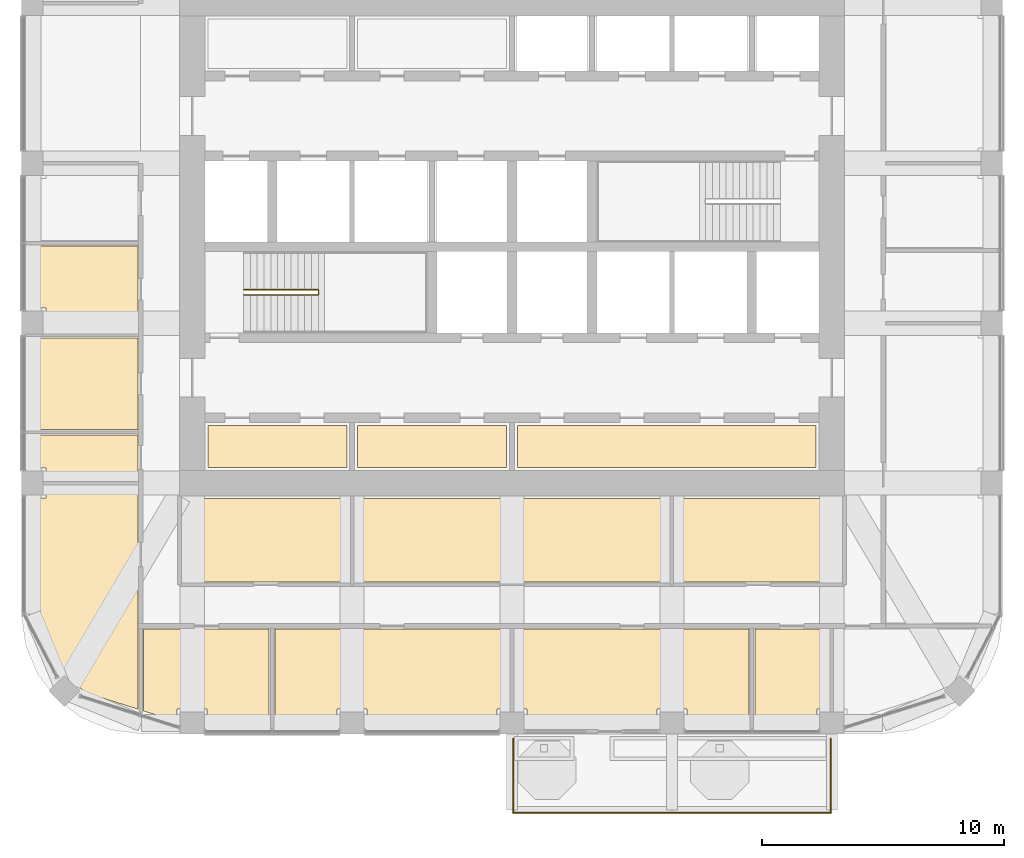
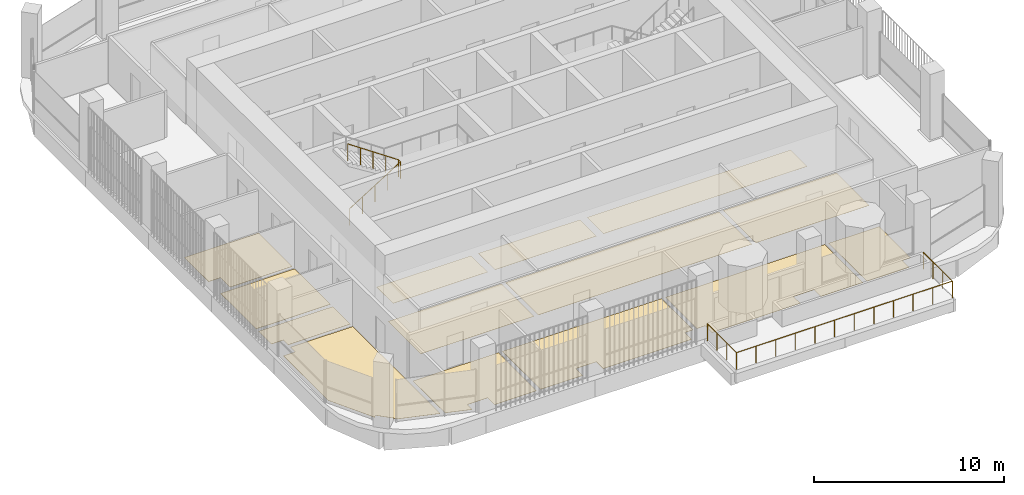
# One storey, part 18 of 21: 14 coverings, 2 railings.
"""IFC4 building model written with IfcOpenShell, lengths in metres."""

from ifc_helpers import new_model, si_unit, direction, frame, origin, place, context, subcontext, project, spatial, polyline, outline, extrude, material, layer, layer_set, type_object, element, save


model = new_model("IFC4")

# Units and contexts
model_context = context("Model", 3, precision=1e-05, world=origin(), true_north=direction((0.0, 1.0)))
body_context = subcontext(model_context, "Body", "Model", "MODEL_VIEW")
ifc_project = project(units=[si_unit("LENGTHUNIT", "METRE"), si_unit("AREAUNIT", "SQUARE_METRE"), si_unit("VOLUMEUNIT", "CUBIC_METRE"), si_unit("PLANEANGLEUNIT", "RADIAN"), si_unit("MASSUNIT", "GRAM", prefix="KILO")], contexts=[model_context])

# Site, building, storey
site_placement = place(None, origin())
site = spatial("IfcSite", under=ifc_project, at=site_placement, CompositionType="ELEMENT")
building_placement = place(site_placement, origin())
building = spatial("IfcBuilding", under=site, at=building_placement, Name="Cobogo Forest Laboratory Tower", CompositionType="ELEMENT")
storey_placement = place(building_placement, frame((0.0, 0.0, 283.800048828125)))
storey = spatial("IfcBuildingStorey", under=building, at=storey_placement, Name="L65", CompositionType="ELEMENT", Elevation=283.800048828125)

# Railing
ifc_material_1 = material(Name="Laminated glass balustrade", Category="glass")
railing_type_1 = type_object("IfcRailingType", Name="BG1 glass balustrade 1100", PredefinedType="GUARDRAIL", material=ifc_material_1)
railing_1_placement = place(storey_placement, frame((26.449951171875, 2.64990234375, 0.0)))
element("IfcRailing", 1, at=railing_1_placement, inside=storey, type_object=railing_type_1, Name="Balcony balustrade BAL-S1 L65", PredefinedType="GUARDRAIL", context=body_context, shape_type="SweptSolid", body=[
    extrude(outline(polyline([(0.022216796875, 0.00927734375), (0.00927734375, 0.022216796875), (-0.00927734375, 0.022216796875), (-0.022216796875, 0.00927734375), (-0.022216796875, -0.00927734375), (-0.00927734375, -0.022216796875), (0.00927734375, -0.022216796875), (0.022216796875, -0.00927734375), (0.022216796875, 0.00927734375)])), frame((0.0, 0.0, 1.077880859375), z_axis=(0.0, -1.0, 0.0), x_axis=(1.0, 0.0, 0.0)), (0.0, 0.0, 1.0), 3.0498046875),
    extrude(outline(polyline([(0.022216796875, 0.00927734375), (0.00927734375, 0.022216796875), (-0.00927734375, 0.022216796875), (-0.022216796875, 0.00927734375), (-0.022216796875, -0.00927734375), (-0.00927734375, -0.022216796875), (0.00927734375, -0.022216796875), (0.022216796875, -0.00927734375), (0.022216796875, 0.00927734375)])), frame((0.0, -3.0498046875, 1.077880859375), z_axis=(1.0, 0.0, 0.0), x_axis=(0.0, 1.0, 0.0)), (0.0, 0.0, 1.0), 13.10009765625),
    extrude(outline(polyline([(0.022216796875, 0.00927734375), (0.00927734375, 0.022216796875), (-0.00927734375, 0.022216796875), (-0.022216796875, 0.00927734375), (-0.022216796875, -0.00927734375), (-0.00927734375, -0.022216796875), (0.00927734375, -0.022216796875), (0.022216796875, -0.00927734375), (0.022216796875, 0.00927734375)])), frame((13.10009765625, -3.0498046875, 1.077880859375), z_axis=(0.0, 1.0, 0.0), x_axis=(-1.0, 0.0, 0.0)), (0.0, 0.0, 1.0), 3.0498046875),
    extrude(outline(polyline([(0.019287109375, 0.008056640625), (0.008056640625, 0.019287109375), (-0.008056640625, 0.019287109375), (-0.019287109375, 0.008056640625), (-0.019287109375, -0.008056640625), (-0.008056640625, -0.019287109375), (0.008056640625, -0.019287109375), (0.019287109375, -0.008056640625), (0.019287109375, 0.008056640625)])), origin(), (0.0, 0.0, 1.0), 1.077880859375),
    extrude(outline(polyline([(0.019287109375, 0.008056640625), (0.008056640625, 0.019287109375), (-0.008056640625, 0.019287109375), (-0.019287109375, 0.008056640625), (-0.019287109375, -0.008056640625), (-0.008056640625, -0.019287109375), (0.008056640625, -0.019287109375), (0.019287109375, -0.008056640625), (0.019287109375, 0.008056640625)])), frame((0.0, -1.0166015625, 0.0)), (0.0, 0.0, 1.0), 1.077880859375),
    extrude(outline(polyline([(0.019287109375, 0.008056640625), (0.008056640625, 0.019287109375), (-0.008056640625, 0.019287109375), (-0.019287109375, 0.008056640625), (-0.019287109375, -0.008056640625), (-0.008056640625, -0.019287109375), (0.008056640625, -0.019287109375), (0.019287109375, -0.008056640625), (0.019287109375, 0.008056640625)])), frame((0.0, -2.033203125, 0.0)), (0.0, 0.0, 1.0), 1.077880859375),
    extrude(outline(polyline([(0.019287109375, 0.008056640625), (0.008056640625, 0.019287109375), (-0.008056640625, 0.019287109375), (-0.019287109375, 0.008056640625), (-0.019287109375, -0.008056640625), (-0.008056640625, -0.019287109375), (0.008056640625, -0.019287109375), (0.019287109375, -0.008056640625), (0.019287109375, 0.008056640625)])), frame((0.0, -3.0498046875, 0.0)), (0.0, 0.0, 1.0), 1.077880859375),
    extrude(outline(polyline([(0.019287109375, 0.008056640625), (0.008056640625, 0.019287109375), (-0.008056640625, 0.019287109375), (-0.019287109375, 0.008056640625), (-0.019287109375, -0.008056640625), (-0.008056640625, -0.019287109375), (0.008056640625, -0.019287109375), (0.019287109375, -0.008056640625), (0.019287109375, 0.008056640625)])), frame((1.19091796875, -3.0498046875, 0.0)), (0.0, 0.0, 1.0), 1.077880859375),
    extrude(outline(polyline([(0.019287109375, 0.008056640625), (0.008056640625, 0.019287109375), (-0.008056640625, 0.019287109375), (-0.019287109375, 0.008056640625), (-0.019287109375, -0.008056640625), (-0.008056640625, -0.019287109375), (0.008056640625, -0.019287109375), (0.019287109375, -0.008056640625), (0.019287109375, 0.008056640625)])), frame((2.3818359375, -3.0498046875, 0.0)), (0.0, 0.0, 1.0), 1.077880859375),
    extrude(outline(polyline([(0.019287109375, 0.008056640625), (0.008056640625, 0.019287109375), (-0.008056640625, 0.019287109375), (-0.019287109375, 0.008056640625), (-0.019287109375, -0.008056640625), (-0.008056640625, -0.019287109375), (0.008056640625, -0.019287109375), (0.019287109375, -0.008056640625), (0.019287109375, 0.008056640625)])), frame((3.57275390625, -3.0498046875, 0.0)), (0.0, 0.0, 1.0), 1.077880859375),
    extrude(outline(polyline([(0.019287109375, 0.008056640625), (0.008056640625, 0.019287109375), (-0.008056640625, 0.019287109375), (-0.019287109375, 0.008056640625), (-0.019287109375, -0.008056640625), (-0.008056640625, -0.019287109375), (0.008056640625, -0.019287109375), (0.019287109375, -0.008056640625), (0.019287109375, 0.008056640625)])), frame((4.763671875, -3.0498046875, 0.0)), (0.0, 0.0, 1.0), 1.077880859375),
    extrude(outline(polyline([(0.019287109375, 0.008056640625), (0.008056640625, 0.019287109375), (-0.008056640625, 0.019287109375), (-0.019287109375, 0.008056640625), (-0.019287109375, -0.008056640625), (-0.008056640625, -0.019287109375), (0.008056640625, -0.019287109375), (0.019287109375, -0.008056640625), (0.019287109375, 0.008056640625)])), frame((5.95458984375, -3.0498046875, 0.0)), (0.0, 0.0, 1.0), 1.077880859375),
    extrude(outline(polyline([(0.019287109375, 0.008056640625), (0.008056640625, 0.019287109375), (-0.008056640625, 0.019287109375), (-0.019287109375, 0.008056640625), (-0.019287109375, -0.008056640625), (-0.008056640625, -0.019287109375), (0.008056640625, -0.019287109375), (0.019287109375, -0.008056640625), (0.019287109375, 0.008056640625)])), frame((7.1455078125, -3.0498046875, 0.0)), (0.0, 0.0, 1.0), 1.077880859375),
    extrude(outline(polyline([(0.019287109375, 0.008056640625), (0.008056640625, 0.019287109375), (-0.008056640625, 0.019287109375), (-0.019287109375, 0.008056640625), (-0.019287109375, -0.008056640625), (-0.008056640625, -0.019287109375), (0.008056640625, -0.019287109375), (0.019287109375, -0.008056640625), (0.019287109375, 0.008056640625)])), frame((8.33642578125, -3.0498046875, 0.0)), (0.0, 0.0, 1.0), 1.077880859375),
    extrude(outline(polyline([(0.019287109375, 0.008056640625), (0.008056640625, 0.019287109375), (-0.008056640625, 0.019287109375), (-0.019287109375, 0.008056640625), (-0.019287109375, -0.008056640625), (-0.008056640625, -0.019287109375), (0.008056640625, -0.019287109375), (0.019287109375, -0.008056640625), (0.019287109375, 0.008056640625)])), frame((9.52734375, -3.0498046875, 0.0)), (0.0, 0.0, 1.0), 1.077880859375),
    extrude(outline(polyline([(0.019287109375, 0.008056640625), (0.008056640625, 0.019287109375), (-0.008056640625, 0.019287109375), (-0.019287109375, 0.008056640625), (-0.019287109375, -0.008056640625), (-0.008056640625, -0.019287109375), (0.008056640625, -0.019287109375), (0.019287109375, -0.008056640625), (0.019287109375, 0.008056640625)])), frame((10.71826171875, -3.0498046875, 0.0)), (0.0, 0.0, 1.0), 1.077880859375),
    extrude(outline(polyline([(0.019287109375, 0.008056640625), (0.008056640625, 0.019287109375), (-0.008056640625, 0.019287109375), (-0.019287109375, 0.008056640625), (-0.019287109375, -0.008056640625), (-0.008056640625, -0.019287109375), (0.008056640625, -0.019287109375), (0.019287109375, -0.008056640625), (0.019287109375, 0.008056640625)])), frame((11.9091796875, -3.0498046875, 0.0)), (0.0, 0.0, 1.0), 1.077880859375),
    extrude(outline(polyline([(0.019287109375, 0.008056640625), (0.008056640625, 0.019287109375), (-0.008056640625, 0.019287109375), (-0.019287109375, 0.008056640625), (-0.019287109375, -0.008056640625), (-0.008056640625, -0.019287109375), (0.008056640625, -0.019287109375), (0.019287109375, -0.008056640625), (0.019287109375, 0.008056640625)])), frame((13.10009765625, -3.0498046875, 0.0)), (0.0, 0.0, 1.0), 1.077880859375),
    extrude(outline(polyline([(0.019287109375, 0.008056640625), (0.008056640625, 0.019287109375), (-0.008056640625, 0.019287109375), (-0.019287109375, 0.008056640625), (-0.019287109375, -0.008056640625), (-0.008056640625, -0.019287109375), (0.008056640625, -0.019287109375), (0.019287109375, -0.008056640625), (0.019287109375, 0.008056640625)])), frame((13.10009765625, -2.033203125, 0.0)), (0.0, 0.0, 1.0), 1.077880859375),
    extrude(outline(polyline([(0.019287109375, 0.008056640625), (0.008056640625, 0.019287109375), (-0.008056640625, 0.019287109375), (-0.019287109375, 0.008056640625), (-0.019287109375, -0.008056640625), (-0.008056640625, -0.019287109375), (0.008056640625, -0.019287109375), (0.019287109375, -0.008056640625), (0.019287109375, 0.008056640625)])), frame((13.10009765625, -1.0166015625, 0.0)), (0.0, 0.0, 1.0), 1.077880859375),
    extrude(outline(polyline([(0.019287109375, 0.008056640625), (0.008056640625, 0.019287109375), (-0.008056640625, 0.019287109375), (-0.019287109375, 0.008056640625), (-0.019287109375, -0.008056640625), (-0.008056640625, -0.019287109375), (0.008056640625, -0.019287109375), (0.019287109375, -0.008056640625), (0.019287109375, 0.008056640625)])), frame((13.10009765625, 0.0, 0.0)), (0.0, 0.0, 1.0), 1.077880859375),
])

# Coverings
ifc_material_2 = material(Name="Carpet tile on raised access floor", Category="flooring")
ifc_layer_1 = layer(ifc_material_2, 0.008056640625)
ifc_layer_set_1 = layer_set([ifc_layer_1], Name="CT1 carpet tile floor 8")
covering_type_1 = type_object("IfcCoveringType", Name="CT1 carpet tile floor 8", PredefinedType="FLOORING", material=ifc_layer_set_1)
covering_1_placement = place(storey_placement, origin())
element("IfcCovering", 2, at=covering_1_placement, inside=storey, type_object=covering_type_1, Name="Carpet floor L65-05", PredefinedType="FLOORING", context=body_context, shape_type="SweptSolid", body=[
    extrude(outline(polyline([(19.679931640625, 9.1201171875), (12.794921875, 9.1201171875), (12.794921875, 12.554931640625), (19.679931640625, 12.554931640625), (19.679931640625, 9.1201171875)])), origin(), (0.0, 0.0, 1.0), 0.008056640625),
])
covering_2_placement = place(storey_placement, origin())
element("IfcCovering", 3, at=covering_2_placement, inside=storey, type_object=covering_type_1, Name="Carpet floor L65-06", PredefinedType="FLOORING", context=body_context, shape_type="SweptSolid", body=[
    extrude(outline(polyline([(32.8798828125, 9.1201171875), (19.919921875, 9.1201171875), (19.919921875, 12.554931640625), (32.8798828125, 12.554931640625), (32.8798828125, 9.1201171875)])), origin(), (0.0, 0.0, 1.0), 0.008056640625),
])
covering_3_placement = place(storey_placement, origin())
element("IfcCovering", 4, at=covering_3_placement, inside=storey, type_object=covering_type_1, Name="Carpet floor L65-07", PredefinedType="FLOORING", context=body_context, shape_type="SweptSolid", body=[
    extrude(outline(polyline([(40.0048828125, 9.1201171875), (33.1201171875, 9.1201171875), (33.1201171875, 12.554931640625), (40.0048828125, 12.554931640625), (40.0048828125, 9.1201171875)])), origin(), (0.0, 0.0, 1.0), 0.008056640625),
])
covering_4_placement = place(storey_placement, origin())
element("IfcCovering", 5, at=covering_4_placement, inside=storey, type_object=covering_type_1, Name="Carpet floor L65-08", PredefinedType="FLOORING", context=body_context, shape_type="SweptSolid", body=[
    extrude(outline(polyline([(16.3798828125, 7.179931640625), (16.3798828125, 3.14990234375), (13.820068359375, 3.14990234375), (13.820068359375, 3.8701171875), (12.580078125, 3.8701171875), (12.580078125, 3.35546875), (11.195068359375, 3.79296875), (11.195068359375, 7.179931640625), (16.3798828125, 7.179931640625)])), origin(), (0.0, 0.0, 1.0), 0.008056640625),
])
covering_5_placement = place(storey_placement, origin())
element("IfcCovering", 6, at=covering_5_placement, inside=storey, type_object=covering_type_1, Name="Carpet floor L65-09", PredefinedType="FLOORING", context=body_context, shape_type="SweptSolid", body=[
    extrude(outline(polyline([(26.280029296875, 7.179931640625), (26.280029296875, 3.8701171875), (25.780029296875, 3.8701171875), (25.780029296875, 3.14990234375), (20.419921875, 3.14990234375), (20.419921875, 3.8701171875), (19.179931640625, 3.8701171875), (19.179931640625, 3.14990234375), (16.6201171875, 3.14990234375), (16.6201171875, 7.179931640625), (26.280029296875, 7.179931640625)])), origin(), (0.0, 0.0, 1.0), 0.008056640625),
])
covering_6_placement = place(storey_placement, origin())
element("IfcCovering", 7, at=covering_6_placement, inside=storey, type_object=covering_type_1, Name="Carpet floor L65-10", PredefinedType="FLOORING", context=body_context, shape_type="SweptSolid", body=[
    extrude(outline(polyline([(36.179931640625, 7.179931640625), (36.179931640625, 3.14990234375), (33.6201171875, 3.14990234375), (33.6201171875, 3.8701171875), (32.3798828125, 3.8701171875), (32.3798828125, 3.14990234375), (27.02001953125, 3.14990234375), (27.02001953125, 3.8701171875), (26.52001953125, 3.8701171875), (26.52001953125, 7.179931640625), (36.179931640625, 7.179931640625)])), origin(), (0.0, 0.0, 1.0), 0.008056640625),
])
covering_7_placement = place(storey_placement, origin())
element("IfcCovering", 8, at=covering_7_placement, inside=storey, type_object=covering_type_1, Name="Carpet floor L65-11", PredefinedType="FLOORING", context=body_context, shape_type="SweptSolid", body=[
    extrude(outline(polyline([(39.47998046875, 7.179931640625), (39.47998046875, 3.8701171875), (38.97998046875, 3.8701171875), (38.97998046875, 3.14990234375), (36.419921875, 3.14990234375), (36.419921875, 7.179931640625), (39.47998046875, 7.179931640625)])), origin(), (0.0, 0.0, 1.0), 0.008056640625),
])
covering_8_placement = place(storey_placement, origin())
element("IfcCovering", 9, at=covering_8_placement, inside=storey, type_object=covering_type_1, Name="Carpet floor L65-21", PredefinedType="FLOORING", context=body_context, shape_type="SweptSolid", body=[
    extrude(outline(polyline([(8.68994140625, 4.583984375), (8.72412109375, 4.617919921875), (7.91796875, 5.424072265625), (7.788818359375, 5.294921875), (6.449951171875, 7.84912109375), (6.449951171875, 12.580078125), (7.169921875, 12.580078125), (7.169921875, 13.080078125), (10.955078125, 13.080078125), (10.955078125, 3.86865234375), (8.68994140625, 4.583984375)])), origin(), (0.0, 0.0, 1.0), 0.008056640625),
])
covering_9_placement = place(storey_placement, origin())
element("IfcCovering", 10, at=covering_9_placement, inside=storey, type_object=covering_type_1, Name="Carpet floor L65-35", PredefinedType="FLOORING", context=body_context, shape_type="SweptSolid", body=[
    extrude(outline(polyline([(26.179931640625, 13.844970703125), (20.02001953125, 13.844970703125), (20.02001953125, 15.580078125), (26.179931640625, 15.580078125), (26.179931640625, 13.844970703125)])), origin(), (0.0, 0.0, 1.0), 0.008056640625),
])
covering_10_placement = place(storey_placement, origin())
element("IfcCovering", 11, at=covering_10_placement, inside=storey, type_object=covering_type_1, Name="Carpet floor L65-36", PredefinedType="FLOORING", context=body_context, shape_type="SweptSolid", body=[
    extrude(outline(polyline([(38.955078125, 13.844970703125), (26.6201171875, 13.844970703125), (26.6201171875, 15.580078125), (38.955078125, 15.580078125), (38.955078125, 13.844970703125)])), origin(), (0.0, 0.0, 1.0), 0.008056640625),
])

# Railing
ifc_material_3 = material(Name="Steel balustrade", Category="steel")
railing_type_2 = type_object("IfcRailingType", Name="GR stair guard 1100", PredefinedType="GUARDRAIL", material=ifc_material_3)
railing_2_placement = place(storey_placement, frame((15.324951171875, 20.969970703125, 0.175048828125)))
element("IfcRailing", 12, at=railing_2_placement, inside=storey, type_object=railing_type_2, Name="Stair guard ST1 L65", PredefinedType="GUARDRAIL", context=body_context, shape_type="SweptSolid", body=[
    extrude(outline(polyline([(0.022216796875, 0.00927734375), (0.00927734375, 0.022216796875), (-0.00927734375, 0.022216796875), (-0.022216796875, 0.00927734375), (-0.022216796875, -0.00927734375), (-0.00927734375, -0.022216796875), (0.00927734375, -0.022216796875), (0.022216796875, -0.00927734375), (0.022216796875, 0.00927734375)])), frame((0.0, 0.0, 1.077880859375), z_axis=(0.848028513186, 0.0, 0.529950602248), x_axis=(0.0, 1.0, 0.0)), (0.0, 0.0, 1.0), 3.632080078125),
    extrude(outline(polyline([(0.022216796875, 0.00927734375), (0.00927734375, 0.022216796875), (-0.00927734375, 0.022216796875), (-0.022216796875, 0.00927734375), (-0.022216796875, -0.00927734375), (-0.00927734375, -0.022216796875), (0.00927734375, -0.022216796875), (0.022216796875, -0.00927734375), (0.022216796875, 0.00927734375)])), frame((3.080078125, 0.0, 3.002685546875), z_axis=(0.0, 1.0, 0.0), x_axis=(-1.0, 0.0, 0.0)), (0.0, 0.0, 1.0), 0.2099609375),
    extrude(outline(polyline([(0.022216796875, 0.00927734375), (0.00927734375, 0.022216796875), (-0.00927734375, 0.022216796875), (-0.022216796875, 0.00927734375), (-0.022216796875, -0.00927734375), (-0.00927734375, -0.022216796875), (0.00927734375, -0.022216796875), (0.022216796875, -0.00927734375), (0.022216796875, 0.00927734375)])), frame((3.080078125, 0.2099609375, 3.002685546875), z_axis=(-0.826221800596, 0.0, 0.563344953133), x_axis=(0.0, -1.0, 0.0)), (0.0, 0.0, 1.0), 3.72802734375),
    extrude(outline(polyline([(0.019287109375, 0.008056640625), (0.008056640625, 0.019287109375), (-0.008056640625, 0.019287109375), (-0.019287109375, 0.008056640625), (-0.019287109375, -0.008056640625), (-0.008056640625, -0.019287109375), (0.008056640625, -0.019287109375), (0.019287109375, -0.008056640625), (0.019287109375, 0.008056640625)])), origin(), (0.0, 0.0, 1.0), 1.077880859375),
    extrude(outline(polyline([(0.019287109375, 0.008056640625), (0.008056640625, 0.019287109375), (-0.008056640625, 0.019287109375), (-0.019287109375, 0.008056640625), (-0.019287109375, -0.008056640625), (-0.008056640625, -0.019287109375), (0.008056640625, -0.019287109375), (0.019287109375, -0.008056640625), (0.019287109375, 0.008056640625)])), frame((0.77001953125, 0.0, 0.481201171875)), (0.0, 0.0, 1.0), 1.077880859375),
    extrude(outline(polyline([(0.019287109375, 0.008056640625), (0.008056640625, 0.019287109375), (-0.008056640625, 0.019287109375), (-0.019287109375, 0.008056640625), (-0.019287109375, -0.008056640625), (-0.008056640625, -0.019287109375), (0.008056640625, -0.019287109375), (0.019287109375, -0.008056640625), (0.019287109375, 0.008056640625)])), frame((1.5400390625, 0.0, 0.96240234375)), (0.0, 0.0, 1.0), 1.077880859375),
    extrude(outline(polyline([(0.019287109375, 0.008056640625), (0.008056640625, 0.019287109375), (-0.008056640625, 0.019287109375), (-0.019287109375, 0.008056640625), (-0.019287109375, -0.008056640625), (-0.008056640625, -0.019287109375), (0.008056640625, -0.019287109375), (0.019287109375, -0.008056640625), (0.019287109375, 0.008056640625)])), frame((2.31005859375, 0.0, 1.443603515625)), (0.0, 0.0, 1.0), 1.077880859375),
    extrude(outline(polyline([(0.019287109375, 0.008056640625), (0.008056640625, 0.019287109375), (-0.008056640625, 0.019287109375), (-0.019287109375, 0.008056640625), (-0.019287109375, -0.008056640625), (-0.008056640625, -0.019287109375), (0.008056640625, -0.019287109375), (0.019287109375, -0.008056640625), (0.019287109375, 0.008056640625)])), frame((3.080078125, 0.0, 1.9248046875)), (0.0, 0.0, 1.0), 1.077880859375),
    extrude(outline(polyline([(0.019287109375, 0.008056640625), (0.008056640625, 0.019287109375), (-0.008056640625, 0.019287109375), (-0.019287109375, 0.008056640625), (-0.019287109375, -0.008056640625), (-0.008056640625, -0.019287109375), (0.008056640625, -0.019287109375), (0.019287109375, -0.008056640625), (0.019287109375, 0.008056640625)])), frame((3.080078125, 0.2099609375, 1.9248046875)), (0.0, 0.0, 1.0), 1.077880859375),
    extrude(outline(polyline([(0.019287109375, 0.008056640625), (0.008056640625, 0.019287109375), (-0.008056640625, 0.019287109375), (-0.019287109375, 0.008056640625), (-0.019287109375, -0.008056640625), (-0.008056640625, -0.019287109375), (0.008056640625, -0.019287109375), (0.019287109375, -0.008056640625), (0.019287109375, 0.008056640625)])), frame((2.31005859375, 0.2099609375, 2.44970703125)), (0.0, 0.0, 1.0), 1.077880859375),
    extrude(outline(polyline([(0.019287109375, 0.008056640625), (0.008056640625, 0.019287109375), (-0.008056640625, 0.019287109375), (-0.019287109375, 0.008056640625), (-0.019287109375, -0.008056640625), (-0.008056640625, -0.019287109375), (0.008056640625, -0.019287109375), (0.019287109375, -0.008056640625), (0.019287109375, 0.008056640625)])), frame((1.5400390625, 0.2099609375, 2.974853515625)), (0.0, 0.0, 1.0), 1.077880859375),
    extrude(outline(polyline([(0.019287109375, 0.008056640625), (0.008056640625, 0.019287109375), (-0.008056640625, 0.019287109375), (-0.019287109375, 0.008056640625), (-0.019287109375, -0.008056640625), (-0.008056640625, -0.019287109375), (0.008056640625, -0.019287109375), (0.019287109375, -0.008056640625), (0.019287109375, 0.008056640625)])), frame((0.77001953125, 0.2099609375, 3.5)), (0.0, 0.0, 1.0), 1.077880859375),
    extrude(outline(polyline([(0.019287109375, 0.008056640625), (0.008056640625, 0.019287109375), (-0.008056640625, 0.019287109375), (-0.019287109375, 0.008056640625), (-0.019287109375, -0.008056640625), (-0.008056640625, -0.019287109375), (0.008056640625, -0.019287109375), (0.019287109375, -0.008056640625), (0.019287109375, 0.008056640625)])), frame((0.0, 0.2099609375, 4.02490234375)), (0.0, 0.0, 1.0), 1.077880859375),
])

# Coverings
ifc_material_4 = material(Name="Ceramic floor tile", Category="flooring")
ifc_layer_2 = layer(ifc_material_4, 0.010009765625)
ifc_layer_set_2 = layer_set([ifc_layer_2], Name="TF1 ceramic tile floor 10")
covering_type_2 = type_object("IfcCoveringType", Name="TF1 ceramic tile floor 10", PredefinedType="FLOORING", material=ifc_layer_set_2)
covering_11_placement = place(storey_placement, origin())
element("IfcCovering", 13, at=covering_11_placement, inside=storey, type_object=covering_type_2, Name="Tile floor L65-22", PredefinedType="FLOORING", context=body_context, shape_type="SweptSolid", body=[
    extrude(outline(polyline([(10.955078125, 13.320068359375), (7.169921875, 13.320068359375), (7.169921875, 13.820068359375), (6.449951171875, 13.820068359375), (6.449951171875, 15.179931640625), (10.955078125, 15.179931640625), (10.955078125, 13.320068359375)])), origin(), (0.0, 0.0, 1.0), 0.010009765625),
])
covering_12_placement = place(storey_placement, origin())
element("IfcCovering", 14, at=covering_12_placement, inside=storey, type_object=covering_type_2, Name="Tile floor L65-23", PredefinedType="FLOORING", context=body_context, shape_type="SweptSolid", body=[
    extrude(outline(polyline([(10.955078125, 15.419921875), (6.449951171875, 15.419921875), (6.449951171875, 19.179931640625), (10.955078125, 19.179931640625), (10.955078125, 15.419921875)])), origin(), (0.0, 0.0, 1.0), 0.010009765625),
])
covering_13_placement = place(storey_placement, origin())
element("IfcCovering", 15, at=covering_13_placement, inside=storey, type_object=covering_type_2, Name="Tile floor L65-24", PredefinedType="FLOORING", context=body_context, shape_type="SweptSolid", body=[
    extrude(outline(polyline([(10.955078125, 19.419921875), (7.169921875, 19.419921875), (7.169921875, 20.419921875), (6.449951171875, 20.419921875), (6.449951171875, 22.97998046875), (10.955078125, 22.97998046875), (10.955078125, 19.419921875)])), origin(), (0.0, 0.0, 1.0), 0.010009765625),
])
covering_14_placement = place(storey_placement, origin())
element("IfcCovering", 16, at=covering_14_placement, inside=storey, type_object=covering_type_2, Name="Tile floor L65-34", PredefinedType="FLOORING", context=body_context, shape_type="SweptSolid", body=[
    extrude(outline(polyline([(19.580078125, 13.844970703125), (13.844970703125, 13.844970703125), (13.844970703125, 15.580078125), (19.580078125, 15.580078125), (19.580078125, 13.844970703125)])), origin(), (0.0, 0.0, 1.0), 0.010009765625),
])

save(model, "model.ifc")
